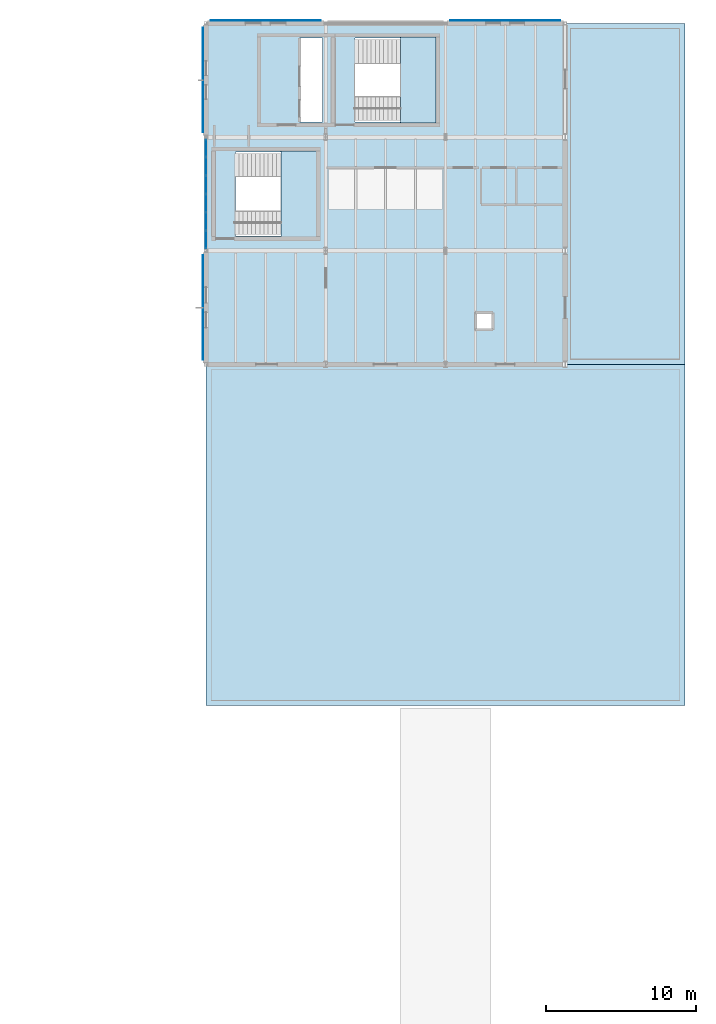
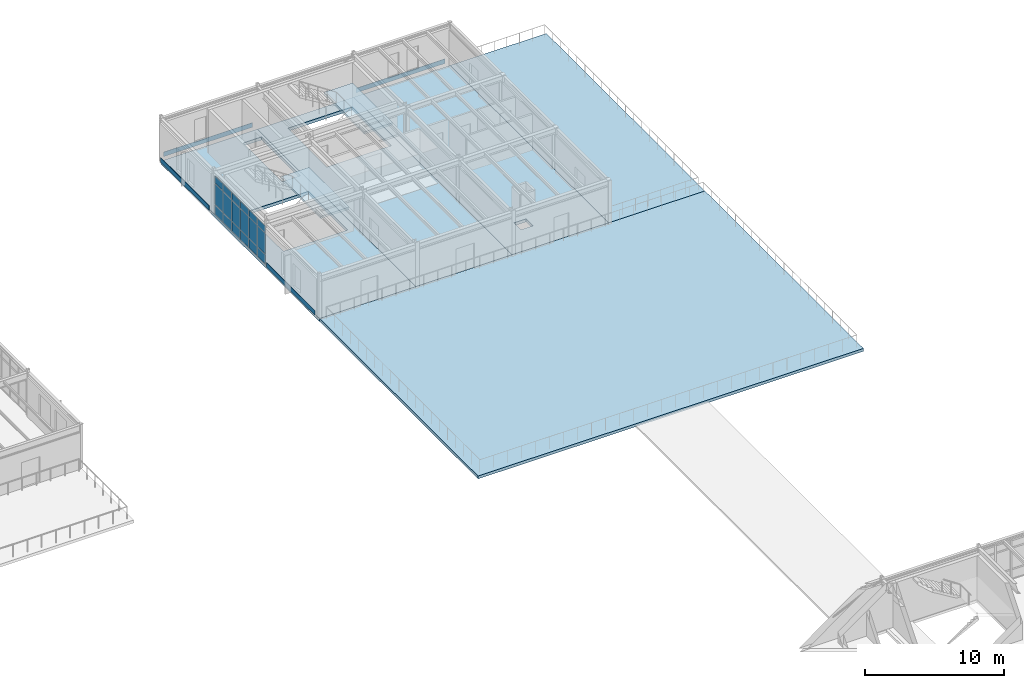
# One storey, part 77 of 114: 22 plates, 7 slabs, 3 elements without a shape of their own.
"""IFC4 building model written with IfcOpenShell, lengths in metres."""

from ifc_helpers import new_model, si_unit, direction, frame, origin, origin_2d, place, context, subcontext, project, spatial, polyline, rectangle, outline, extrude, material, layer, layer_set, type_object, element, aggregate, save


model = new_model("IFC4")

# Units and contexts
model_context = context("Model", 3, precision=1e-05, world=origin(), true_north=direction((0.0, 1.0)))
body_context = subcontext(model_context, "Body", "Model", "MODEL_VIEW")
ifc_project = project(units=[si_unit("LENGTHUNIT", "METRE"), si_unit("AREAUNIT", "SQUARE_METRE"), si_unit("VOLUMEUNIT", "CUBIC_METRE"), si_unit("PLANEANGLEUNIT", "RADIAN"), si_unit("MASSUNIT", "GRAM", prefix="KILO")], contexts=[model_context])

# Site, building, storey
site_placement = place(None, origin())
site = spatial("IfcSite", under=ifc_project, at=site_placement, CompositionType="ELEMENT")
building_placement = place(site_placement, origin())
building = spatial("IfcBuilding", under=site, at=building_placement, Name="Montecoro Central Library", CompositionType="ELEMENT")
storey_placement = place(building_placement, frame((0.0, 0.0, 13.260009765625)))
storey = spatial("IfcBuildingStorey", under=building, at=storey_placement, Name="L03", CompositionType="ELEMENT", Elevation=13.260009765625)

# Curtain wall, plates
ifc_material_1 = material(Name="Bronze-anodised aluminium and low-E glazing", Category="aluminium")
ifc_layer_1 = layer(ifc_material_1, 0.159912109375)
ifc_layer_set_1 = layer_set([ifc_layer_1], Name="Bronze-anodised aluminium and low-E glazing")
curtain_wall_type = type_object("IfcCurtainWallType", Name="CWT-055", PredefinedType="NOTDEFINED", material=ifc_layer_set_1)
curtain_wall_placement = place(storey_placement, origin())
curtain_wall = element("IfcCurtainWall", 1, at=curtain_wall_placement, inside=storey, type_object=curtain_wall_type, Name="V5-L03-CW-W1", PredefinedType="NOTDEFINED")
ifc_material_2 = material(Name="Laminated low-E double glazing", Category="glass")
ifc_layer_2 = layer(ifc_material_2, 0.02587890625)
ifc_layer_set_2 = layer_set([ifc_layer_2], Name="Laminated low-E double glazing")
plate_type_1 = type_object("IfcPlateType", Name="CWP-GLZ-01", PredefinedType="CURTAIN_PANEL", material=ifc_layer_set_2)
plate_1_placement = place(storey_placement, frame((141.0, 110.657470703125, 0.06005859375), z_axis=(0.0, 0.0, 1.0), x_axis=(0.0, -1.0, 0.0)))
plate_1 = element("IfcPlate", 2, at=plate_1_placement, type_object=plate_type_1, Name="CW-055 panel 1.1", PredefinedType="CURTAIN_PANEL", context=body_context, shape_type="SweptSolid", body=[
    extrude(rectangle(XDim=1.138916015625, YDim=0.02587890625, at=origin_2d()), origin(), (0.0, 0.0, 1.0), 0.81005859375),
])
plate_2_placement = place(storey_placement, frame((141.0, 110.657470703125, 0.93017578125), z_axis=(0.0, 0.0, 1.0), x_axis=(0.0, -1.0, 0.0)))
plate_2 = element("IfcPlate", 3, at=plate_2_placement, type_object=plate_type_1, Name="CW-055 panel 1.2", PredefinedType="CURTAIN_PANEL", context=body_context, shape_type="SweptSolid", body=[
    extrude(rectangle(XDim=1.138916015625, YDim=0.02587890625, at=origin_2d()), origin(), (0.0, 0.0, 1.0), 1.820068359375),
])
plate_3_placement = place(storey_placement, frame((141.0, 110.657470703125, 2.81005859375), z_axis=(0.0, 0.0, 1.0), x_axis=(0.0, -1.0, 0.0)))
plate_3 = element("IfcPlate", 4, at=plate_3_placement, type_object=plate_type_1, Name="CW-055 panel 1.3", PredefinedType="CURTAIN_PANEL", context=body_context, shape_type="SweptSolid", body=[
    extrude(rectangle(XDim=1.138916015625, YDim=0.02587890625, at=origin_2d()), origin(), (0.0, 0.0, 1.0), 0.610107421875),
])
plate_4_placement = place(storey_placement, frame((141.0, 109.443603515625, 0.06005859375), z_axis=(0.0, 0.0, 1.0), x_axis=(0.0, -1.0, 0.0)))
plate_4 = element("IfcPlate", 5, at=plate_4_placement, type_object=plate_type_1, Name="CW-055 panel 2.1", PredefinedType="CURTAIN_PANEL", context=body_context, shape_type="SweptSolid", body=[
    extrude(rectangle(XDim=1.1689453125, YDim=0.02587890625, at=origin_2d()), origin(), (0.0, 0.0, 1.0), 0.81005859375),
])
plate_5_placement = place(storey_placement, frame((141.0, 109.443603515625, 0.93017578125), z_axis=(0.0, 0.0, 1.0), x_axis=(0.0, -1.0, 0.0)))
plate_5 = element("IfcPlate", 6, at=plate_5_placement, type_object=plate_type_1, Name="CW-055 panel 2.2", PredefinedType="CURTAIN_PANEL", context=body_context, shape_type="SweptSolid", body=[
    extrude(rectangle(XDim=1.1689453125, YDim=0.02587890625, at=origin_2d()), origin(), (0.0, 0.0, 1.0), 1.820068359375),
])
plate_6_placement = place(storey_placement, frame((141.0, 109.443603515625, 2.81005859375), z_axis=(0.0, 0.0, 1.0), x_axis=(0.0, -1.0, 0.0)))
plate_6 = element("IfcPlate", 7, at=plate_6_placement, type_object=plate_type_1, Name="CW-055 panel 2.3", PredefinedType="CURTAIN_PANEL", context=body_context, shape_type="SweptSolid", body=[
    extrude(rectangle(XDim=1.1689453125, YDim=0.02587890625, at=origin_2d()), origin(), (0.0, 0.0, 1.0), 0.610107421875),
])
plate_7_placement = place(storey_placement, frame((141.0, 108.214599609375, 0.06005859375), z_axis=(0.0, 0.0, 1.0), x_axis=(0.0, -1.0, 0.0)))
plate_7 = element("IfcPlate", 8, at=plate_7_placement, type_object=plate_type_1, Name="CW-055 panel 3.1", PredefinedType="CURTAIN_PANEL", context=body_context, shape_type="SweptSolid", body=[
    extrude(rectangle(XDim=1.1689453125, YDim=0.02587890625, at=origin_2d()), origin(), (0.0, 0.0, 1.0), 0.81005859375),
])
plate_8_placement = place(storey_placement, frame((141.0, 108.214599609375, 0.93017578125), z_axis=(0.0, 0.0, 1.0), x_axis=(0.0, -1.0, 0.0)))
plate_8 = element("IfcPlate", 9, at=plate_8_placement, type_object=plate_type_1, Name="CW-055 panel 3.2", PredefinedType="CURTAIN_PANEL", context=body_context, shape_type="SweptSolid", body=[
    extrude(rectangle(XDim=1.1689453125, YDim=0.02587890625, at=origin_2d()), origin(), (0.0, 0.0, 1.0), 1.820068359375),
])
plate_9_placement = place(storey_placement, frame((141.0, 108.214599609375, 2.81005859375), z_axis=(0.0, 0.0, 1.0), x_axis=(0.0, -1.0, 0.0)))
plate_9 = element("IfcPlate", 10, at=plate_9_placement, type_object=plate_type_1, Name="CW-055 panel 3.3", PredefinedType="CURTAIN_PANEL", context=body_context, shape_type="SweptSolid", body=[
    extrude(rectangle(XDim=1.1689453125, YDim=0.02587890625, at=origin_2d()), origin(), (0.0, 0.0, 1.0), 0.610107421875),
])
plate_10_placement = place(storey_placement, frame((141.0, 106.985595703125, 0.06005859375), z_axis=(0.0, 0.0, 1.0), x_axis=(0.0, -1.0, 0.0)))
plate_10 = element("IfcPlate", 11, at=plate_10_placement, type_object=plate_type_1, Name="CW-055 panel 4.1", PredefinedType="CURTAIN_PANEL", context=body_context, shape_type="SweptSolid", body=[
    extrude(rectangle(XDim=1.1689453125, YDim=0.02587890625, at=origin_2d()), origin(), (0.0, 0.0, 1.0), 0.81005859375),
])
plate_11_placement = place(storey_placement, frame((141.0, 106.985595703125, 0.93017578125), z_axis=(0.0, 0.0, 1.0), x_axis=(0.0, -1.0, 0.0)))
plate_11 = element("IfcPlate", 12, at=plate_11_placement, type_object=plate_type_1, Name="CW-055 panel 4.2", PredefinedType="CURTAIN_PANEL", context=body_context, shape_type="SweptSolid", body=[
    extrude(rectangle(XDim=1.1689453125, YDim=0.02587890625, at=origin_2d()), origin(), (0.0, 0.0, 1.0), 1.820068359375),
])
plate_12_placement = place(storey_placement, frame((141.0, 106.985595703125, 2.81005859375), z_axis=(0.0, 0.0, 1.0), x_axis=(0.0, -1.0, 0.0)))
plate_12 = element("IfcPlate", 13, at=plate_12_placement, type_object=plate_type_1, Name="CW-055 panel 4.3", PredefinedType="CURTAIN_PANEL", context=body_context, shape_type="SweptSolid", body=[
    extrude(rectangle(XDim=1.1689453125, YDim=0.02587890625, at=origin_2d()), origin(), (0.0, 0.0, 1.0), 0.610107421875),
])
plate_13_placement = place(storey_placement, frame((141.0, 105.756591796875, 0.06005859375), z_axis=(0.0, 0.0, 1.0), x_axis=(0.0, -1.0, 0.0)))
plate_13 = element("IfcPlate", 14, at=plate_13_placement, type_object=plate_type_1, Name="CW-055 panel 5.1", PredefinedType="CURTAIN_PANEL", context=body_context, shape_type="SweptSolid", body=[
    extrude(rectangle(XDim=1.1689453125, YDim=0.02587890625, at=origin_2d()), origin(), (0.0, 0.0, 1.0), 0.81005859375),
])
plate_14_placement = place(storey_placement, frame((141.0, 105.756591796875, 0.93017578125), z_axis=(0.0, 0.0, 1.0), x_axis=(0.0, -1.0, 0.0)))
plate_14 = element("IfcPlate", 15, at=plate_14_placement, type_object=plate_type_1, Name="CW-055 panel 5.2", PredefinedType="CURTAIN_PANEL", context=body_context, shape_type="SweptSolid", body=[
    extrude(rectangle(XDim=1.1689453125, YDim=0.02587890625, at=origin_2d()), origin(), (0.0, 0.0, 1.0), 1.820068359375),
])
plate_15_placement = place(storey_placement, frame((141.0, 105.756591796875, 2.81005859375), z_axis=(0.0, 0.0, 1.0), x_axis=(0.0, -1.0, 0.0)))
plate_15 = element("IfcPlate", 16, at=plate_15_placement, type_object=plate_type_1, Name="CW-055 panel 5.3", PredefinedType="CURTAIN_PANEL", context=body_context, shape_type="SweptSolid", body=[
    extrude(rectangle(XDim=1.1689453125, YDim=0.02587890625, at=origin_2d()), origin(), (0.0, 0.0, 1.0), 0.610107421875),
])
plate_16_placement = place(storey_placement, frame((141.0, 104.54248046875, 0.06005859375), z_axis=(0.0, 0.0, 1.0), x_axis=(0.0, -1.0, 0.0)))
plate_16 = element("IfcPlate", 17, at=plate_16_placement, type_object=plate_type_1, Name="CW-055 panel 6.1", PredefinedType="CURTAIN_PANEL", context=body_context, shape_type="SweptSolid", body=[
    extrude(rectangle(XDim=1.138916015625, YDim=0.02587890625, at=origin_2d()), origin(), (0.0, 0.0, 1.0), 0.81005859375),
])
plate_17_placement = place(storey_placement, frame((141.0, 104.54248046875, 0.93017578125), z_axis=(0.0, 0.0, 1.0), x_axis=(0.0, -1.0, 0.0)))
plate_17 = element("IfcPlate", 18, at=plate_17_placement, type_object=plate_type_1, Name="CW-055 panel 6.2", PredefinedType="CURTAIN_PANEL", context=body_context, shape_type="SweptSolid", body=[
    extrude(rectangle(XDim=1.138916015625, YDim=0.02587890625, at=origin_2d()), origin(), (0.0, 0.0, 1.0), 1.820068359375),
])
plate_18_placement = place(storey_placement, frame((141.0, 104.54248046875, 2.81005859375), z_axis=(0.0, 0.0, 1.0), x_axis=(0.0, -1.0, 0.0)))
plate_18 = element("IfcPlate", 19, at=plate_18_placement, type_object=plate_type_1, Name="CW-055 panel 6.3", PredefinedType="CURTAIN_PANEL", context=body_context, shape_type="SweptSolid", body=[
    extrude(rectangle(XDim=1.138916015625, YDim=0.02587890625, at=origin_2d()), origin(), (0.0, 0.0, 1.0), 0.610107421875),
])
aggregate(curtain_wall, [plate_1, plate_2, plate_3, plate_4, plate_5, plate_6, plate_7, plate_8, plate_9, plate_10, plate_11, plate_12, plate_13, plate_14, plate_15, plate_16, plate_17, plate_18])

# Plates
ifc_material_3 = material(Name="Architectural bronze spandrel plate", Category="aluminium")
ifc_layer_3 = layer(ifc_material_3, 0.02197265625)
ifc_layer_set_3 = layer_set([ifc_layer_3], Name="Architectural bronze spandrel plate")
plate_type_2 = type_object("IfcPlateType", Name="PLT-SPN-01", PredefinedType="SHEET", material=ifc_layer_set_3)
plate_19_placement = place(storey_placement, frame((145.0, 119.193603515625, 0.16015625), z_axis=(0.0, 0.0, 1.0), x_axis=(-1.0, 0.0, 0.0)))
element("IfcPlate", 20, at=plate_19_placement, inside=storey, type_object=plate_type_2, Name="V5-L03-SPN-N0", PredefinedType="SHEET", context=body_context, shape_type="SweptSolid", body=[
    extrude(rectangle(XDim=7.3740234375, YDim=0.02197265625, at=origin_2d()), origin(), (0.0, 0.0, 1.0), 0.39990234375),
])
plate_20_placement = place(storey_placement, frame((140.806396484375, 100.0, 0.16015625), z_axis=(0.0, 0.0, 1.0), x_axis=(0.0, -1.0, 0.0)))
element("IfcPlate", 21, at=plate_20_placement, inside=storey, type_object=plate_type_2, Name="V5-L03-SPN-W0", PredefinedType="SHEET", context=body_context, shape_type="SweptSolid", body=[
    extrude(rectangle(XDim=6.97412109375, YDim=0.02197265625, at=origin_2d()), origin(), (0.0, 0.0, 1.0), 0.39990234375),
])
ifc_layer_4 = layer(ifc_material_3, 0.035888671875)
ifc_layer_set_4 = layer_set([ifc_layer_4], Name="Architectural bronze spandrel plate")
plate_type_3 = type_object("IfcPlateType", Name="PLT-SPN-03", PredefinedType="SHEET", material=ifc_layer_set_4)
plate_21_placement = place(storey_placement, frame((161.0, 119.200439453125, 0.16015625), z_axis=(0.0, 0.0, 1.0), x_axis=(-1.0, 0.0, 0.0)))
element("IfcPlate", 22, at=plate_21_placement, inside=storey, type_object=plate_type_3, Name="V5-L03-SPN-N2", PredefinedType="SHEET", context=body_context, shape_type="SweptSolid", body=[
    extrude(rectangle(XDim=7.3740234375, YDim=0.035888671875, at=origin_2d()), origin(), (0.0, 0.0, 1.0), 0.39990234375),
])
plate_22_placement = place(storey_placement, frame((140.799560546875, 115.199951171875, 0.16015625), z_axis=(0.0, 0.0, 1.0), x_axis=(0.0, -1.0, 0.0)))
element("IfcPlate", 23, at=plate_22_placement, inside=storey, type_object=plate_type_3, Name="V5-L03-SPN-W2", PredefinedType="SHEET", context=body_context, shape_type="SweptSolid", body=[
    extrude(rectangle(XDim=6.97412109375, YDim=0.035888671875, at=origin_2d()), origin(), (0.0, 0.0, 1.0), 0.39990234375),
])

# Stair, slab
ifc_material_4 = material(Name="Concrete C35/45", Category="concrete")
stair_type_1 = type_object("IfcStairType", Name="STR-RET-160", PredefinedType="HALF_TURN_STAIR", material=ifc_material_4)
stair_1_placement = place(storey_placement, origin())
stair_1 = element("IfcStair", 24, at=stair_1_placement, inside=storey, type_object=stair_type_1, Name="C6-L03-STR", PredefinedType="HALF_TURN_STAIR")
ifc_layer_5 = layer(ifc_material_4, 0.199951171875)
ifc_layer_set_5 = layer_set([ifc_layer_5], Name="Concrete C35/45")
slab_type_1 = type_object("IfcSlabType", Name="SL-LND-200", PredefinedType="LANDING", material=ifc_layer_set_5)
slab_1_placement = place(storey_placement, frame((0.0, 0.0, 1.840087890625)))
slab_1 = element("IfcSlab", 25, at=slab_1_placement, type_object=slab_type_1, Name="ST-06 landing 1", PredefinedType="LANDING", context=body_context, shape_type="SweptSolid", body=[
    extrude(outline(polyline([(154.0, 112.320068359375), (156.3798828125, 112.320068359375), (156.3798828125, 118.080078125), (154.0, 118.080078125), (154.0, 112.320068359375)])), origin(), (0.0, 0.0, 1.0), 0.199951171875),
])
aggregate(stair_1, [slab_1])

stair_type_2 = type_object("IfcStairType", Name="STR-RET-155", PredefinedType="HALF_TURN_STAIR", material=ifc_material_4)
stair_2_placement = place(storey_placement, origin())
stair_2 = element("IfcStair", 26, at=stair_2_placement, inside=storey, type_object=stair_type_2, Name="C8-L03-STR", PredefinedType="HALF_TURN_STAIR")
slab_2_placement = place(storey_placement, frame((0.0, 0.0, 1.840087890625)))
slab_2 = element("IfcSlab", 27, at=slab_2_placement, type_object=slab_type_1, Name="ST-08 landing 1", PredefinedType="LANDING", context=body_context, shape_type="SweptSolid", body=[
    extrude(outline(polyline([(146.0, 104.719970703125), (148.3798828125, 104.719970703125), (148.3798828125, 110.47998046875), (146.0, 110.47998046875), (146.0, 104.719970703125)])), origin(), (0.0, 0.0, 1.0), 0.199951171875),
])
aggregate(stair_2, [slab_2])

# Slabs
ifc_material_5 = material(Name="Concrete C32/40", Category="concrete")
ifc_layer_6 = layer(ifc_material_5, 0.264892578125)
ifc_layer_set_6 = layer_set([ifc_layer_6], Name="Concrete C32/40")
slab_type_2 = type_object("IfcSlabType", Name="SL-STK-265", PredefinedType="FLOOR", material=ifc_layer_set_6)
slab_3_placement = place(storey_placement, frame((0.0, 0.0, -0.264892578125)))
element("IfcSlab", 28, at=slab_3_placement, inside=storey, type_object=slab_type_2, Name="V5-L03-SL1", PredefinedType="FLOOR", context=body_context, shape_type="SweptSolid", body=[
    extrude(outline(polyline([(141.0, 96.199951171875), (149.0, 96.199951171875), (149.0, 119.0), (141.0, 119.0), (141.0, 96.199951171875)]), holes=[polyline([(147.25, 118.0), (148.780029296875, 118.0), (148.780029296875, 112.39990234375), (147.25, 112.39990234375), (147.25, 118.0)]), polyline([(142.9599609375, 110.39990234375), (148.300048828125, 110.39990234375), (148.300048828125, 104.800048828125), (142.9599609375, 104.800048828125), (142.9599609375, 110.39990234375)])]), origin(), (0.0, 0.0, 1.0), 0.264892578125),
])
slab_4_placement = place(storey_placement, frame((0.0, 0.0, -0.264892578125)))
element("IfcSlab", 29, at=slab_4_placement, inside=storey, type_object=slab_type_2, Name="V5-L03-SL2", PredefinedType="FLOOR", context=body_context, shape_type="SweptSolid", body=[
    extrude(outline(polyline([(149.0, 96.199951171875), (157.0, 96.199951171875), (157.0, 119.0), (149.0, 119.0), (149.0, 96.199951171875)]), holes=[polyline([(150.9599609375, 118.0), (156.300048828125, 118.0), (156.300048828125, 112.39990234375), (150.9599609375, 112.39990234375), (150.9599609375, 118.0)])]), origin(), (0.0, 0.0, 1.0), 0.264892578125),
])
slab_5_placement = place(storey_placement, frame((0.0, 0.0, -0.264892578125)))
element("IfcSlab", 30, at=slab_5_placement, inside=storey, type_object=slab_type_2, Name="V5-L03-SL3", PredefinedType="FLOOR", context=body_context, shape_type="SweptSolid", body=[
    extrude(outline(polyline([(157.0, 96.199951171875), (165.0, 96.199951171875), (165.0, 119.0), (157.0, 119.0), (157.0, 96.199951171875)]), holes=[polyline([(159.10009765625, 99.60009765625), (160.10009765625, 99.60009765625), (160.10009765625, 98.60009765625), (159.10009765625, 98.60009765625), (159.10009765625, 99.60009765625)])]), origin(), (0.0, 0.0, 1.0), 0.264892578125),
])
ifc_material_6 = material(Name="Planted garden concrete C32/40", Category="concrete")
ifc_layer_7 = layer(ifc_material_6, 0.22998046875)
ifc_layer_set_7 = layer_set([ifc_layer_7], Name="Planted garden concrete C32/40")
slab_type_3 = type_object("IfcSlabType", Name="SL-TER-230", PredefinedType="FLOOR", material=ifc_layer_set_7)
slab_6_placement = place(storey_placement, frame((0.0, 0.0, -0.22998046875)))
element("IfcSlab", 31, at=slab_6_placement, inside=storey, type_object=slab_type_3, Name="Archive East Street Terrace", PredefinedType="FLOOR", context=body_context, shape_type="SweptSolid", body=[
    extrude(outline(polyline([(165.0, 96.199951171875), (173.0, 96.199951171875), (173.0, 119.0), (165.0, 119.0), (165.0, 96.199951171875)])), origin(), (0.0, 0.0, 1.0), 0.22998046875),
])
ifc_layer_8 = layer(ifc_material_6, 0.2548828125)
ifc_layer_set_8 = layer_set([ifc_layer_8], Name="Planted garden concrete C32/40")
slab_type_4 = type_object("IfcSlabType", Name="SL-TER-255", PredefinedType="FLOOR", material=ifc_layer_set_8)
slab_7_placement = place(storey_placement, frame((0.0, 0.0, -0.255126953125)))
element("IfcSlab", 32, at=slab_7_placement, inside=storey, type_object=slab_type_4, Name="Archive South Court Terrace", PredefinedType="FLOOR", context=body_context, shape_type="SweptSolid", body=[
    extrude(outline(polyline([(141.0, 73.39990234375), (173.0, 73.39990234375), (173.0, 96.199951171875), (141.0, 96.199951171875), (141.0, 73.39990234375)])), origin(), (0.0, 0.0, 1.0), 0.255126953125),
])

save(model, "model.ifc")
